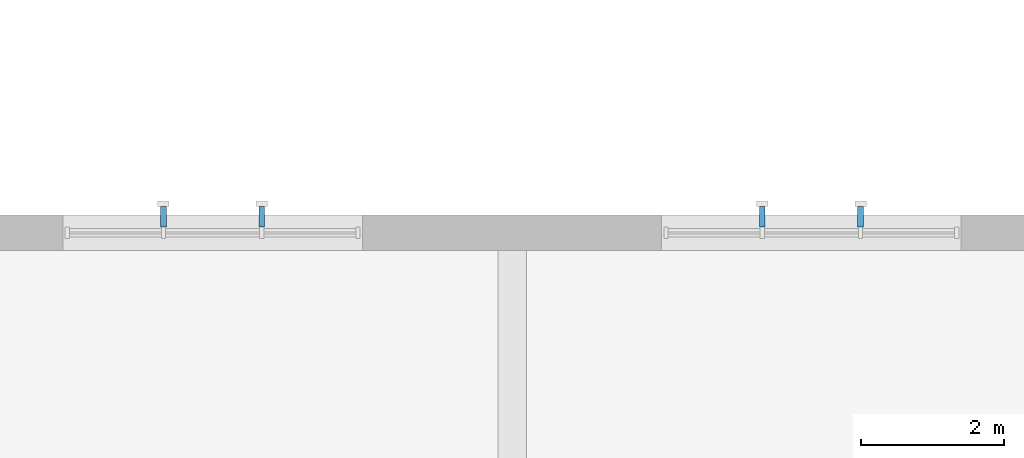
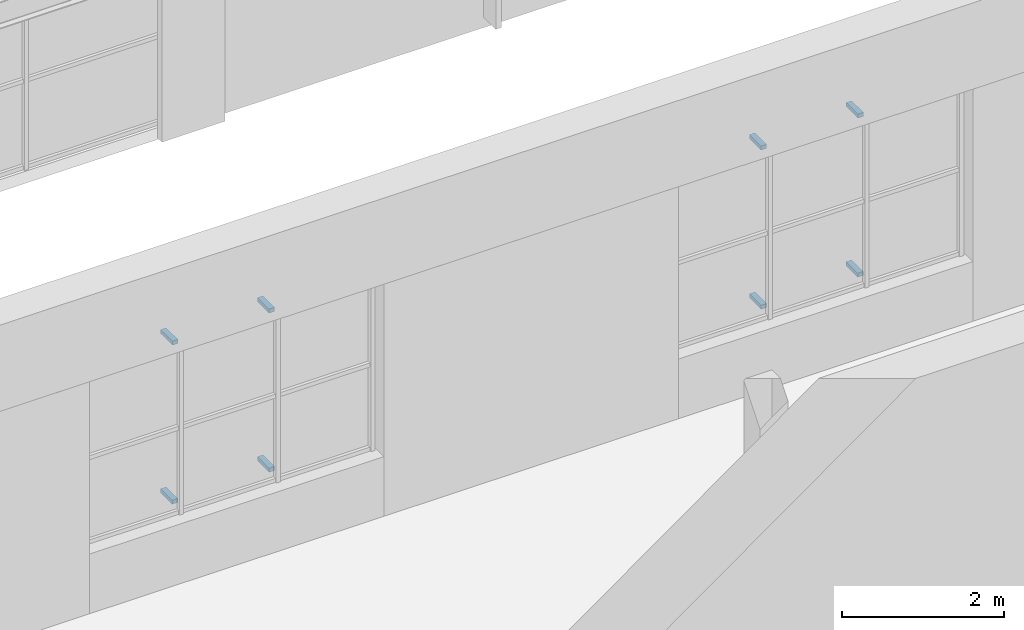
# One storey, part 97 of 116: 8 discrete accessories.
"""IFC4 building model written with IfcOpenShell, lengths in metres."""

from ifc_helpers import new_model, si_unit, direction, frame, origin, origin_2d, place, context, subcontext, project, spatial, rectangle, extrude, material, type_object, element, save


model = new_model("IFC4")

# Units and contexts
model_context = context("Model", 3, precision=1e-05, world=origin(), true_north=direction((0.0, 1.0)))
body_context = subcontext(model_context, "Body", "Model", "MODEL_VIEW")
ifc_project = project(units=[si_unit("LENGTHUNIT", "METRE"), si_unit("AREAUNIT", "SQUARE_METRE"), si_unit("VOLUMEUNIT", "CUBIC_METRE"), si_unit("PLANEANGLEUNIT", "RADIAN"), si_unit("MASSUNIT", "GRAM", prefix="KILO")], contexts=[model_context])

# Site, building, storey
site_placement = place(None, origin())
site = spatial("IfcSite", under=ifc_project, at=site_placement, CompositionType="ELEMENT")
building_placement = place(site_placement, origin())
building = spatial("IfcBuilding", under=site, at=building_placement, Name="Ljudholm Concert House", CompositionType="ELEMENT")
storey_placement = place(building_placement, frame((0.0, 0.0, 10.199951171875)))
storey = spatial("IfcBuildingStorey", under=building, at=storey_placement, Name="L02", CompositionType="ELEMENT", Elevation=10.199951171875)

# Discrete accessories
ifc_material = material(Name="Stainless steel bracket", Category="steel")
discrete_accessory_type = type_object("IfcDiscreteAccessoryType", Name="BRACKET 290", PredefinedType="BRACKET", material=ifc_material)
for number, where, z_axis, x_axis, name in (
    (1, (74.7099609375, 96.625, 0.969970703125), (0.0, 0.0, 1.0), (0.0, 1.0, 0.0), "Fin bracket"),
    (2, (74.7099609375, 96.625, 3.3701171875), (0.0, 0.0, 1.0), (0.0, 1.0, 0.0), "Fin bracket"),
    (3, (76.090087890625, 96.625, 0.969970703125), (0.0, 0.0, 1.0), (0.0, 1.0, 0.0), "Fin bracket"),
    (4, (76.090087890625, 96.625, 3.3701171875), (0.0, 0.0, 1.0), (0.0, 1.0, 0.0), "Fin bracket"),
    (5, (83.110107421875, 96.625, 0.969970703125), (0.0, 0.0, 1.0), (0.0, 1.0, 0.0), "Fin bracket"),
    (6, (83.110107421875, 96.625, 3.3701171875), (0.0, 0.0, 1.0), (0.0, 1.0, 0.0), "Fin bracket"),
    (7, (84.489990234375, 96.625, 0.969970703125), (0.0, 0.0, 1.0), (0.0, 1.0, 0.0), "Fin bracket"),
    (8, (84.489990234375, 96.625, 3.3701171875), (0.0, 0.0, 1.0), (0.0, 1.0, 0.0), "Fin bracket"),
):
    element("IfcDiscreteAccessory", number, at=place(storey_placement, frame(where, z_axis=z_axis, x_axis=x_axis)), inside=storey, type_object=discrete_accessory_type, Name=name, PredefinedType="BRACKET", context=body_context, shape_type="SweptSolid", body=[
        extrude(rectangle(XDim=0.2900390625, YDim=0.080078125, at=origin_2d()), origin(), (0.0, 0.0, 1.0), 0.06005859375),
    ])

save(model, "model.ifc")
